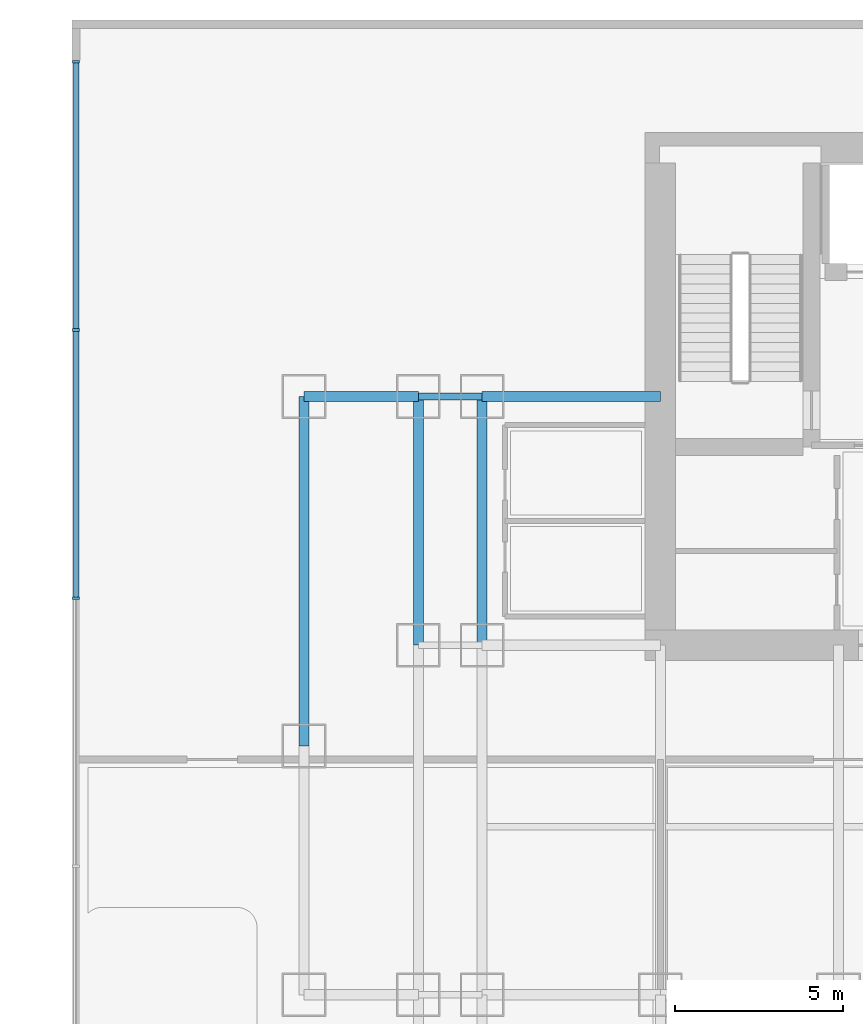
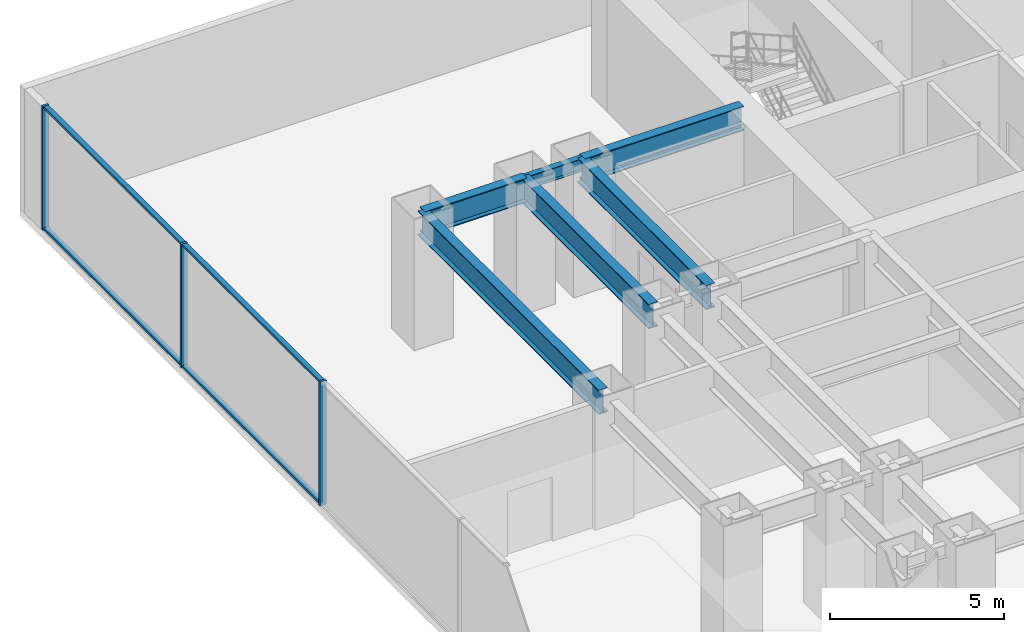
# One storey, part 5 of 13: 7 members, 6 beams, 1 element without a shape of its own.
"""IFC4 building model written with IfcOpenShell, lengths in metres."""

import ifcopenshell
import ifcopenshell.guid

model = None  # the IFC model being written
_history = None  # IfcOwnerHistory: only IFC2X3 demands one
_inside = {}  # id of a spatial element -> (the spatial element, [elements in it])
_under = {}  # id of a project, library or spatial element -> (it, [spatial elements below it])
_declared = {}  # id of a project -> (the project, [libraries it declares])
_typed = {}  # id of a type object -> (the type object, [elements of that type])
_made_of = {}  # id of a material, layer set ... -> (it, [elements and type objects made of it])


def new_model(schema):
    """Start an empty IFC model of exactly this schema.

    Asked for "IFC4X3", IfcOpenShell would pick the latest addendum, in which some entities
    have other attributes; the version numbers below select the first issue.
    IFC2X3 requires an IfcOwnerHistory on every rooted entity: one is made here for all.
    """
    global model, _history
    if schema == "IFC4X3":
        model = ifcopenshell.file(schema_version=(4, 3, 0, 0))
    else:
        model = ifcopenshell.file(schema=schema)
    _inside.clear()
    _under.clear()
    _declared.clear()
    _typed.clear()
    _made_of.clear()
    _history = None
    if model.schema == "IFC2X3":
        org = make("IfcOrganization", Name="unknown")
        user = make(
            "IfcPersonAndOrganization",
            ThePerson=make("IfcPerson", FamilyName="unknown"),
            TheOrganization=org,
        )
        app = make(
            "IfcApplication",
            ApplicationDeveloper=org,
            Version="unknown",
            ApplicationFullName="unknown",
            ApplicationIdentifier="unknown",
        )
        _history = make(
            "IfcOwnerHistory",
            OwningUser=user,
            OwningApplication=app,
            ChangeAction="ADDED",
            CreationDate=0,
        )
    return model


def make(cls, **values):
    """One entity of the class cls with the attributes given. An attribute that is None is left unset."""
    return model.create_entity(
        cls, **{name: value for name, value in values.items() if value is not None}
    )


def rooted(cls, **values):
    """An entity with a GlobalId (a new one), such as an element, a storey or a relation."""
    return make(cls, GlobalId=ifcopenshell.guid.new(), OwnerHistory=_history, **values)


def si_unit(unit_type, name, prefix=None):
    """IfcSIUnit, for example si_unit("LENGTHUNIT", "METRE", prefix="MILLI")."""
    return make("IfcSIUnit", UnitType=unit_type, Prefix=prefix, Name=name)


def assignment(units):
    """IfcUnitAssignment: the units of a project."""
    return None if units is None else make("IfcUnitAssignment", Units=units)


def point(xyz):
    """IfcCartesianPoint."""
    return None if xyz is None else make("IfcCartesianPoint", Coordinates=xyz)


def direction(xyz):
    """IfcDirection."""
    return None if xyz is None else make("IfcDirection", DirectionRatios=xyz)


def frame(location, z_axis=None, x_axis=None):
    """IfcAxis2Placement3D, a coordinate frame: its origin and axes. An axis left out is left unset."""
    return make(
        "IfcAxis2Placement3D",
        Location=point(location),
        Axis=direction(z_axis),
        RefDirection=direction(x_axis),
    )


def frame_2d(location, x_axis=None):
    """IfcAxis2Placement2D, a coordinate frame in the plane: its origin and x axis."""
    return make(
        "IfcAxis2Placement2D", Location=point(location), RefDirection=direction(x_axis)
    )


def origin():
    """The frame at (0, 0, 0) with its axes left unset."""
    return frame((0.0, 0.0, 0.0))


def origin_2d():
    """The frame at (0, 0) in the plane with its x axis left unset."""
    return frame_2d((0.0, 0.0))


def place(relative_to, where):
    """IfcLocalPlacement: puts the frame where relative to a parent placement (None: the world)."""
    return make(
        "IfcLocalPlacement", PlacementRelTo=relative_to, RelativePlacement=where
    )


def context(
    kind, dimensions, precision=None, world=None, true_north=None, identifier=None
):
    """IfcGeometricRepresentationContext, for example the 3D "Model" context."""
    return make(
        "IfcGeometricRepresentationContext",
        ContextIdentifier=identifier,
        ContextType=kind,
        CoordinateSpaceDimension=dimensions,
        Precision=precision,
        WorldCoordinateSystem=world,
        TrueNorth=true_north,
    )


def subcontext(parent, identifier, kind, view, scale=None):
    """IfcGeometricRepresentationSubContext, for example "Body" below "Model"."""
    return make(
        "IfcGeometricRepresentationSubContext",
        ContextIdentifier=identifier,
        ContextType=kind,
        ParentContext=parent,
        TargetScale=scale,
        TargetView=view,
    )


def project(units=None, contexts=None):
    """IfcProject with its units and contexts."""
    return rooted(
        "IfcProject",
        Name="project",
        RepresentationContexts=contexts,
        UnitsInContext=assignment(units),
    )


def spatial(cls, under=None, at=None, **own):
    """A site, building, storey or space (cls), placed at a placement, below another one or the project."""
    s = rooted(cls, ObjectPlacement=at, **own)
    if under is not None:
        _under.setdefault(under.id(), (under, []))[1].append(s)
    return s


def profile(cls, at=None, kind="AREA", **sizes):
    """A parametric profile (cls). Its sizes go by their IFC names, for example OverallWidth=200.0."""
    return make(cls, ProfileType=kind, Position=at, **sizes)


def rectangle(**sizes):
    """IfcRectangleProfileDef."""
    return profile("IfcRectangleProfileDef", **sizes)


def i_section(**sizes):
    """IfcIShapeProfileDef."""
    return profile("IfcIShapeProfileDef", **sizes)


def extrude(swept, where, along, depth):
    """IfcExtrudedAreaSolid: the profile swept, set in the frame where, extruded along a direction by depth."""
    return make(
        "IfcExtrudedAreaSolid",
        SweptArea=swept,
        Position=where,
        ExtrudedDirection=direction(along),
        Depth=depth,
    )


def shape(context_of_items, identifier, shape_type, items):
    """IfcShapeRepresentation: the items that make up one representation, for example the "Body"."""
    return make(
        "IfcShapeRepresentation",
        ContextOfItems=context_of_items,
        RepresentationIdentifier=identifier,
        RepresentationType=shape_type,
        Items=items,
    )


def source(mapping_origin, context_of_items, identifier, shape_type, items):
    """IfcRepresentationMap: a shape defined once, which mapped items show again and again."""
    return make(
        "IfcRepresentationMap",
        MappingOrigin=mapping_origin,
        MappedRepresentation=shape(context_of_items, identifier, shape_type, items),
    )


def transform(
    local_origin,
    x_axis=None,
    y_axis=None,
    z_axis=None,
    scale=None,
    scale2=None,
    scale3=None,
    uniform=True,
):
    """IfcCartesianTransformationOperator3D, or its non-uniform kind. x_axis, y_axis, z_axis: its Axis1, 2, 3."""
    if uniform:
        return make(
            "IfcCartesianTransformationOperator3D",
            Axis1=direction(x_axis),
            Axis2=direction(y_axis),
            LocalOrigin=point(local_origin),
            Scale=scale,
            Axis3=direction(z_axis),
        )
    return make(
        "IfcCartesianTransformationOperator3DnonUniform",
        Axis1=direction(x_axis),
        Axis2=direction(y_axis),
        LocalOrigin=point(local_origin),
        Scale=scale,
        Axis3=direction(z_axis),
        Scale2=scale2,
        Scale3=scale3,
    )


def mapped(mapping_source, mapping_target):
    """IfcMappedItem: shows the shape of a source again, moved by a transform."""
    return make(
        "IfcMappedItem", MappingSource=mapping_source, MappingTarget=mapping_target
    )


def material(Name=None, Category=None):
    """IfcMaterial."""
    return make("IfcMaterial", Name=Name, Category=Category)


def layer(
    of_material, thickness, ventilated=None, Name=None, Category=None, Priority=None
):
    """IfcMaterialLayer: one layer of a wall or slab, of a material (None: an air gap)."""
    return make(
        "IfcMaterialLayer",
        Material=of_material,
        LayerThickness=thickness,
        IsVentilated=ventilated,
        Name=Name,
        Category=Category,
        Priority=Priority,
    )


def layer_set(layers, Name=None):
    """IfcMaterialLayerSet."""
    return make("IfcMaterialLayerSet", MaterialLayers=layers, LayerSetName=Name)


def material_profile(
    of_material, cross_section, Name=None, Category=None, Priority=None
):
    """IfcMaterialProfile: a cross section and its material."""
    return make(
        "IfcMaterialProfile",
        Name=Name,
        Material=of_material,
        Profile=cross_section,
        Priority=Priority,
        Category=Category,
    )


def profile_set(profiles, Name=None, composite=None):
    """IfcMaterialProfileSet."""
    return make(
        "IfcMaterialProfileSet",
        Name=Name,
        MaterialProfiles=profiles,
        CompositeProfile=composite,
    )


def made_of(thing, what):
    """Note that an element or type object is made of a material, layer set ...; save() writes the relation."""
    if what is not None:
        _made_of.setdefault(what.id(), (what, []))[1].append(thing)
    return thing


def type_object(cls, material=None, **own):
    """A type object (cls), such as IfcWallType, which elements share."""
    return made_of(rooted(cls, **own), material)


def element(
    cls,
    number,
    at=None,
    inside=None,
    cuts=None,
    type_object=None,
    material=None,
    context=None,
    identifier="Body",
    shape_type=None,
    held_by="IfcProductDefinitionShape",
    body=None,
    shapes=None,
    **own,
):
    """One element of the class cls, such as IfcWall. Its Tag is "e" and its number.

    at: its placement. inside: the storey or other place that contains it. cuts: it is an
    opening in that element (IfcRelVoidsElement). A single representation is given by context,
    identifier, shape_type and body (its items); several are given by shapes. held_by: the class
    of the entity that holds the representations. save() writes the other relations.
    """
    e = rooted(cls, Tag="e%d" % number, ObjectPlacement=at, **own)
    if body is not None:
        shapes = [shape(context, identifier, shape_type, body)]
    if shapes is not None:
        e.Representation = make(held_by, Representations=shapes)
    if inside is not None:
        _inside.setdefault(inside.id(), (inside, []))[1].append(e)
    if cuts is not None:
        rooted(
            "IfcRelVoidsElement", RelatingBuildingElement=cuts, RelatedOpeningElement=e
        )
    if type_object is not None:
        _typed.setdefault(type_object.id(), (type_object, []))[1].append(e)
    return made_of(e, material)


def aggregate(whole, parts):
    """IfcRelAggregates: a whole, such as a stair, and the parts it consists of."""
    return rooted("IfcRelAggregates", RelatingObject=whole, RelatedObjects=parts)


def save(model, path):
    """Write the relations noted so far, then the file.

    IfcRelAggregates (storeys below a building ...), IfcRelContainedInSpatialStructure (elements
    in a storey), IfcRelDefinesByType, IfcRelAssociatesMaterial and IfcRelDeclares: one each for
    every whole, place, type object, material and project.
    """
    for whole, parts in _under.values():
        aggregate(whole, parts)
    for where, things in _inside.values():
        rooted(
            "IfcRelContainedInSpatialStructure",
            RelatedElements=things,
            RelatingStructure=where,
        )
    for kind, things in _typed.values():
        rooted("IfcRelDefinesByType", RelatedObjects=things, RelatingType=kind)
    for what, things in _made_of.values():
        rooted("IfcRelAssociatesMaterial", RelatedObjects=things, RelatingMaterial=what)
    for by, libraries in _declared.values():
        rooted("IfcRelDeclares", RelatingContext=by, RelatedDefinitions=libraries)
    model.write(path)


model = new_model("IFC4")

# Units and contexts
model_context = context("Model", 3, precision=1e-05, world=origin(), true_north=direction((0.0, 1.0)))
body_context = subcontext(model_context, "Body", "Model", "MODEL_VIEW")
ifc_project = project(units=[si_unit("LENGTHUNIT", "METRE"), si_unit("AREAUNIT", "SQUARE_METRE"), si_unit("VOLUMEUNIT", "CUBIC_METRE"), si_unit("PLANEANGLEUNIT", "RADIAN"), si_unit("MASSUNIT", "GRAM", prefix="KILO")], contexts=[model_context])

# Site, building, storey
site_placement = place(None, origin())
site = spatial("IfcSite", under=ifc_project, at=site_placement, CompositionType="ELEMENT")
building_placement = place(site_placement, origin())
building = spatial("IfcBuilding", under=site, at=building_placement, Name="Qianlan Lanfeng Residences", CompositionType="ELEMENT")
storey_placement = place(building_placement, frame((0.0, 0.0, 9.800048828125)))
storey = spatial("IfcBuildingStorey", under=building, at=storey_placement, Name="L02", CompositionType="ELEMENT", Elevation=9.800048828125)

# Beams
ifc_material_1 = material(Name="Steel SN490B", Category="steel")
ifc_material_profile_1 = material_profile(ifc_material_1, i_section(OverallWidth=0.300048828125, OverallDepth=0.85009765625, WebThickness=0.01611328125, FlangeThickness=0.031982421875, at=origin_2d()), Name="H 850x300x16x32")
ifc_profile_set_1 = profile_set([ifc_material_profile_1], Name="Steel SN490B")
beam_type_1 = type_object("IfcBeamType", Name="G-1100", PredefinedType="BEAM", material=ifc_profile_set_1)
beam_1_placement = place(storey_placement, frame((0.0, 32.60009765625, 3.925048828125), z_axis=(1.0, 0.0, 0.0), x_axis=(0.0, 1.0, 0.0)))
element("IfcBeam", 1, at=beam_1_placement, inside=storey, type_object=beam_type_1, Name="Structural beam G-1100", PredefinedType="BEAM", context=body_context, shape_type="SweptSolid", body=[
    extrude(i_section(OverallWidth=0.300048828125, OverallDepth=0.85009765625, WebThickness=0.01611328125, FlangeThickness=0.031982421875, at=origin_2d()), origin(), (0.0, 0.0, 1.0), 3.39990234375),
])
beam_2_placement = place(storey_placement, frame((5.300048828125, 32.60009765625, 3.925048828125), z_axis=(1.0, 0.0, 0.0), x_axis=(0.0, 1.0, 0.0)))
element("IfcBeam", 2, at=beam_2_placement, inside=storey, type_object=beam_type_1, Name="Structural beam G-1100", PredefinedType="BEAM", context=body_context, shape_type="SweptSolid", body=[
    extrude(i_section(OverallWidth=0.300048828125, OverallDepth=0.85009765625, WebThickness=0.01611328125, FlangeThickness=0.031982421875, at=origin_2d()), origin(), (0.0, 0.0, 1.0), 5.300048828125),
])
beam_3_placement = place(storey_placement, frame((0.0, 22.199951171875, 3.925048828125), z_axis=(0.0, 1.0, 0.0), x_axis=(-1.0, 0.0, 0.0)))
element("IfcBeam", 3, at=beam_3_placement, inside=storey, type_object=beam_type_1, Name="Structural beam G-1100", PredefinedType="BEAM", context=body_context, shape_type="SweptSolid", body=[
    extrude(i_section(OverallWidth=0.300048828125, OverallDepth=0.85009765625, WebThickness=0.01611328125, FlangeThickness=0.031982421875, at=origin_2d()), origin(), (0.0, 0.0, 1.0), 10.400146484375),
])
for number, where, z_axis, x_axis, name in (
    (4, (3.39990234375, 25.199951171875, 3.925048828125), (0.0, 1.0, 0.0), (-1.0, 0.0, 0.0), "Structural beam G-1100"),
    (5, (5.300048828125, 25.199951171875, 3.925048828125), (0.0, 1.0, 0.0), (-1.0, 0.0, 0.0), "Structural beam G-1100"),
):
    element("IfcBeam", number, at=place(storey_placement, frame(where, z_axis=z_axis, x_axis=x_axis)), inside=storey, type_object=beam_type_1, Name=name, PredefinedType="BEAM", context=body_context, shape_type="SweptSolid", body=[
        extrude(i_section(OverallWidth=0.300048828125, OverallDepth=0.85009765625, WebThickness=0.01611328125, FlangeThickness=0.031982421875, at=origin_2d()), origin(), (0.0, 0.0, 1.0), 7.400146484375),
    ])
ifc_material_profile_2 = material_profile(ifc_material_1, i_section(OverallWidth=0.199951171875, OverallDepth=0.449951171875, WebThickness=0.009033203125, FlangeThickness=0.013916015625, at=origin_2d()), Name="H 450x200x9x14")
ifc_profile_set_2 = profile_set([ifc_material_profile_2], Name="Steel SN490B")
beam_type_2 = type_object("IfcBeamType", Name="J-450", PredefinedType="JOIST", material=ifc_profile_set_2)
beam_4_placement = place(storey_placement, frame((3.39990234375, 32.60009765625, 4.125), z_axis=(1.0, 0.0, 0.0), x_axis=(0.0, 1.0, 0.0)))
element("IfcBeam", 6, at=beam_4_placement, inside=storey, type_object=beam_type_2, Name="Structural beam J-450", PredefinedType="JOIST", context=body_context, shape_type="SweptSolid", body=[
    extrude(i_section(OverallWidth=0.199951171875, OverallDepth=0.449951171875, WebThickness=0.009033203125, FlangeThickness=0.013916015625, at=origin_2d()), origin(), (0.0, 0.0, 1.0), 1.900146484375),
])

# Curtain wall, members
ifc_material_2 = material(Name="Anodised Bronze Aluminium 6063-T6", Category="aluminium")
ifc_layer = layer(ifc_material_2, 0.219970703125)
ifc_layer_set = layer_set([ifc_layer], Name="Anodised Bronze Aluminium 6063-T6")
curtain_wall_type = type_object("IfcCurtainWallType", Name="CW-01", PredefinedType="NOTDEFINED", material=ifc_layer_set)
curtain_wall_placement = place(storey_placement, origin())
curtain_wall = element("IfcCurtainWall", 7, at=curtain_wall_placement, inside=storey, type_object=curtain_wall_type, Name="L02 Unitised Curtain Wall CWR-L02-W (CW-01)", PredefinedType="NOTDEFINED")
ifc_material_profile_3 = material_profile(ifc_material_2, rectangle(XDim=0.080078125, YDim=0.2099609375, at=origin_2d()), Name="ALU MULLION 80x210")
ifc_profile_set_3 = profile_set([ifc_material_profile_3], Name="Anodised Bronze Aluminium 6063-T6")
member_type_1 = type_object("IfcMemberType", Name="CWM-220", PredefinedType="MULLION", material=ifc_profile_set_3)
shared_shape_1 = source(origin(), body_context, "Body", "SweptSolid", [
    extrude(rectangle(XDim=0.080078125, YDim=0.2099609375, at=origin_2d()), origin(), (0.0, 0.0, 1.0), 4.349853515625),
])
member_1_placement = place(storey_placement, frame((-6.780029296875, 42.56005859375, 0.0), z_axis=(0.0, 0.0, 1.0), x_axis=(0.0, -1.0, 0.0)))
member_1 = element("IfcMember", 8, at=member_1_placement, type_object=member_type_1, Name="CWR-L02-W Mullion 1", PredefinedType="MULLION", context=body_context, shape_type="MappedRepresentation", body=[
    mapped(shared_shape_1, transform((0.0, 0.0, 0.0), scale=1.0)),
])
member_2_placement = place(storey_placement, frame((-6.780029296875, 34.580078125, 0.0), z_axis=(0.0, 0.0, 1.0), x_axis=(0.0, -1.0, 0.0)))
member_2 = element("IfcMember", 9, at=member_2_placement, type_object=member_type_1, Name="CWR-L02-W Mullion 2", PredefinedType="MULLION", context=body_context, shape_type="MappedRepresentation", body=[
    mapped(shared_shape_1, transform((0.0, 0.0, 0.0), scale=1.0)),
])
member_3_placement = place(storey_placement, frame((-6.780029296875, 26.60009765625, 0.0), z_axis=(0.0, 0.0, 1.0), x_axis=(0.0, -1.0, 0.0)))
member_3 = element("IfcMember", 10, at=member_3_placement, type_object=member_type_1, Name="CWR-L02-W Mullion 3", PredefinedType="MULLION", context=body_context, shape_type="MappedRepresentation", body=[
    mapped(shared_shape_1, transform((0.0, 0.0, 0.0), scale=1.0)),
])
ifc_material_profile_4 = material_profile(ifc_material_2, rectangle(XDim=0.080078125, YDim=0.159912109375, at=origin_2d()), Name="ALU TRANSOM 80x160")
ifc_profile_set_4 = profile_set([ifc_material_profile_4], Name="Anodised Bronze Aluminium 6063-T6")
member_type_2 = type_object("IfcMemberType", Name="CWT-180", PredefinedType="USERDEFINED", material=ifc_profile_set_4)
shared_shape_2 = source(origin(), body_context, "Body", "SweptSolid", [
    extrude(rectangle(XDim=0.080078125, YDim=0.159912109375, at=origin_2d()), origin(), (0.0, 0.0, 1.0), 7.900146484375),
])
member_4_placement = place(storey_placement, frame((-6.780029296875, 34.5400390625, 0.0400390625), z_axis=(0.0, -1.0, 0.0), x_axis=(0.0, 0.0, 1.0)))
member_4 = element("IfcMember", 11, at=member_4_placement, type_object=member_type_2, Name="CWR-L02-W Transom 2-BOT", ObjectType="TRANSOM", PredefinedType="USERDEFINED", context=body_context, shape_type="MappedRepresentation", body=[
    mapped(shared_shape_2, transform((0.0, 0.0, 0.0), scale=1.0)),
])
member_5_placement = place(storey_placement, frame((-6.780029296875, 34.5400390625, 4.31005859375), z_axis=(0.0, -1.0, 0.0), x_axis=(0.0, 0.0, 1.0)))
member_5 = element("IfcMember", 12, at=member_5_placement, type_object=member_type_2, Name="CWR-L02-W Transom 2-TOP", ObjectType="TRANSOM", PredefinedType="USERDEFINED", context=body_context, shape_type="MappedRepresentation", body=[
    mapped(shared_shape_2, transform((0.0, 0.0, 0.0), scale=1.0)),
])
shared_shape_3 = source(origin(), body_context, "Body", "SweptSolid", [
    extrude(rectangle(XDim=0.080078125, YDim=0.159912109375, at=origin_2d()), origin(), (0.0, 0.0, 1.0), 7.89990234375),
])
member_6_placement = place(storey_placement, frame((-6.780029296875, 42.52001953125, 0.0400390625), z_axis=(0.0, -1.0, 0.0), x_axis=(0.0, 0.0, 1.0)))
member_6 = element("IfcMember", 13, at=member_6_placement, type_object=member_type_2, Name="CWR-L02-W Transom 1-BOT", ObjectType="TRANSOM", PredefinedType="USERDEFINED", context=body_context, shape_type="MappedRepresentation", body=[
    mapped(shared_shape_3, transform((0.0, 0.0, 0.0), scale=1.0)),
])
member_7_placement = place(storey_placement, frame((-6.780029296875, 42.52001953125, 4.31005859375), z_axis=(0.0, -1.0, 0.0), x_axis=(0.0, 0.0, 1.0)))
member_7 = element("IfcMember", 14, at=member_7_placement, type_object=member_type_2, Name="CWR-L02-W Transom 1-TOP", ObjectType="TRANSOM", PredefinedType="USERDEFINED", context=body_context, shape_type="MappedRepresentation", body=[
    mapped(shared_shape_3, transform((0.0, 0.0, 0.0), scale=1.0)),
])
aggregate(curtain_wall, [member_1, member_2, member_3, member_6, member_7, member_4, member_5])

save(model, "model.ifc")
